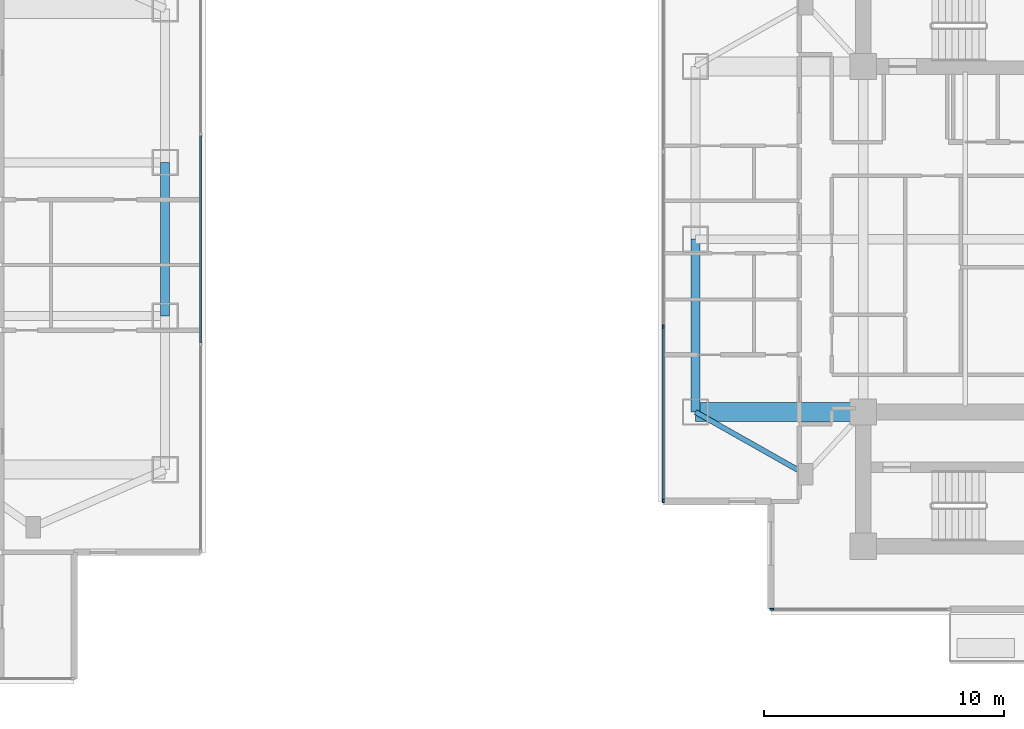
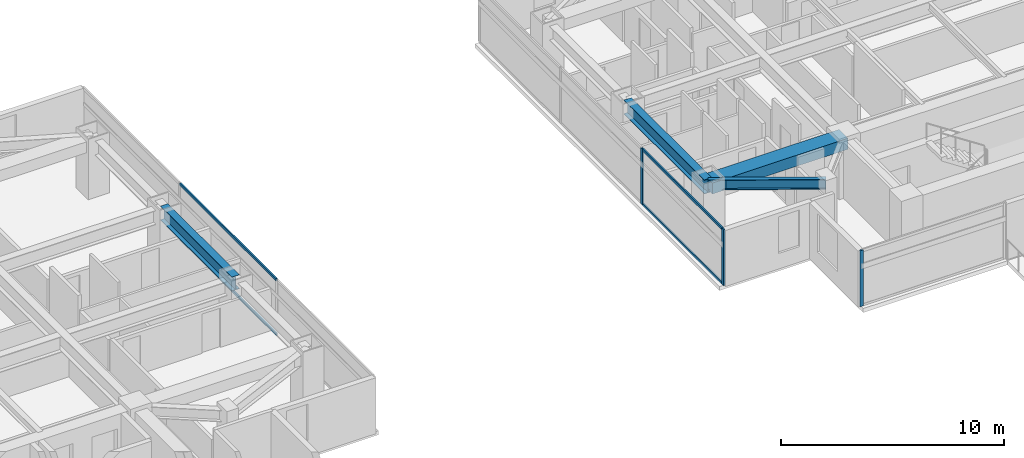
# One storey, part 5 of 24: 7 members, 4 beams, 3 elements without a shape of their own.
"""IFC4 building model written with IfcOpenShell, lengths in metres."""

from ifc_helpers import new_model, si_unit, direction, frame, origin, origin_2d, place, context, subcontext, project, spatial, rectangle, i_section, extrude, material, material_profile, profile_set, type_object, element, aggregate, save


model = new_model("IFC4")

# Units and contexts
model_context = context("Model", 3, precision=1e-05, world=origin(), true_north=direction((0.0, 1.0)))
body_context = subcontext(model_context, "Body", "Model", "MODEL_VIEW")
ifc_project = project(units=[si_unit("LENGTHUNIT", "METRE"), si_unit("AREAUNIT", "SQUARE_METRE"), si_unit("VOLUMEUNIT", "CUBIC_METRE"), si_unit("PLANEANGLEUNIT", "RADIAN"), si_unit("MASSUNIT", "GRAM", prefix="KILO")], contexts=[model_context])

# Site, building, storey
site_placement = place(None, origin())
site = spatial("IfcSite", under=ifc_project, at=site_placement, CompositionType="ELEMENT")
building_placement = place(site_placement, origin())
building = spatial("IfcBuilding", under=site, at=building_placement, Name="Mirazonda Arch Towers", CompositionType="ELEMENT")
storey_placement = place(building_placement, frame((0.0, 0.0, 118.10009765625)))
storey = spatial("IfcBuildingStorey", under=building, at=storey_placement, Name="L33", CompositionType="ELEMENT", Elevation=118.10009765625)

# Beams
ifc_material_1 = material(Name="Steel ASTM A992 Grade 50", Category="steel")
ifc_material_profile_1 = material_profile(ifc_material_1, i_section(OverallWidth=0.381103515625, OverallDepth=0.77294921875, WebThickness=0.0166015625, FlangeThickness=0.027099609375, at=origin_2d()), Name="W30X173")
ifc_profile_set_1 = profile_set([ifc_material_profile_1], Name="Steel ASTM A992 Grade 50")
beam_type_1 = type_object("IfcBeamType", Name="BM-EXT-W30X173", PredefinedType="USERDEFINED", material=ifc_profile_set_1)
beam_1_placement = place(storey_placement, frame((38.89990234375, 24.800048828125, 2.693359375), z_axis=(0.0, 1.0, 0.0), x_axis=(-1.0, 0.0, 0.0)))
element("IfcBeam", 1, at=beam_1_placement, inside=storey, type_object=beam_type_1, Name="L33 Floor Beam BM-T1-L33-NS-E-24", ObjectType="GIRDER", PredefinedType="USERDEFINED", context=body_context, shape_type="SweptSolid", body=[
    extrude(i_section(OverallWidth=0.381103515625, OverallDepth=0.77294921875, WebThickness=0.0166015625, FlangeThickness=0.027099609375, at=origin_2d()), origin(), (0.0, 0.0, 1.0), 6.39990234375),
])
beam_2_placement = place(storey_placement, frame((61.0, 20.800048828125, 2.693359375), z_axis=(0.0, 1.0, 0.0), x_axis=(-1.0, 0.0, 0.0)))
element("IfcBeam", 2, at=beam_2_placement, inside=storey, type_object=beam_type_1, Name="L33 Floor Beam BM-T2-L33-NS-W-20", ObjectType="GIRDER", PredefinedType="USERDEFINED", context=body_context, shape_type="SweptSolid", body=[
    extrude(i_section(OverallWidth=0.381103515625, OverallDepth=0.77294921875, WebThickness=0.0166015625, FlangeThickness=0.027099609375, at=origin_2d()), origin(), (0.0, 0.0, 1.0), 7.199951171875),
])
ifc_material_profile_2 = material_profile(ifc_material_1, i_section(OverallWidth=0.214111328125, OverallDepth=0.549072265625, WebThickness=0.0146484375, FlangeThickness=0.023681640625, at=origin_2d()), Name="W21X93")
ifc_profile_set_2 = profile_set([ifc_material_profile_2], Name="Steel ASTM A992 Grade 50")
beam_type_2 = type_object("IfcBeamType", Name="BM-INT-W21X93", PredefinedType="BEAM", material=ifc_profile_set_2)
beam_3_placement = place(storey_placement, frame((65.60009765625, 18.199951171875, 2.805419921875), z_axis=(-0.870559396632, 0.492063346467, 0.0), x_axis=(-0.492063346467, -0.870559396632, 0.0)))
element("IfcBeam", 3, at=beam_3_placement, inside=storey, type_object=beam_type_2, Name="L33 Floor Beam BM-T2-L33-PL-SW2", PredefinedType="BEAM", context=body_context, shape_type="SweptSolid", body=[
    extrude(i_section(OverallWidth=0.214111328125, OverallDepth=0.549072265625, WebThickness=0.0146484375, FlangeThickness=0.023681640625, at=origin_2d()), origin(), (0.0, 0.0, 1.0), 5.2841796875),
])
ifc_material_2 = material(Name="Concrete C60/75", Category="concrete")
ifc_material_profile_3 = material_profile(ifc_material_2, rectangle(XDim=0.800048828125, YDim=0.60009765625, at=origin_2d()), Name="RCCB800x600")
ifc_profile_set_3 = profile_set([ifc_material_profile_3], Name="Concrete C60/75")
beam_type_3 = type_object("IfcBeamType", Name="CB-INT-RCCB800x600", PredefinedType="SPANDREL", material=ifc_profile_set_3)
beam_4_placement = place(storey_placement, frame((61.0, 20.800048828125, 2.77978515625), z_axis=(1.0, 0.0, 0.0), x_axis=(0.0, 1.0, 0.0)))
element("IfcBeam", 4, at=beam_4_placement, inside=storey, type_object=beam_type_3, Name="L33 Floor Beam CBC-T2-L33-SW", PredefinedType="SPANDREL", context=body_context, shape_type="SweptSolid", body=[
    extrude(rectangle(XDim=0.800048828125, YDim=0.60009765625, at=origin_2d()), origin(), (0.0, 0.0, 1.0), 7.0),
])

# Curtain wall, member
ifc_material_3 = material(Name="Anodised Aluminium and Low-E Glass", Category="aluminium")
curtain_wall_type = type_object("IfcCurtainWallType", Name="CW-HTL-UNIT", PredefinedType="NOTDEFINED", material=ifc_material_3)
curtain_wall_1_placement = place(storey_placement, origin())
curtain_wall_1 = element("IfcCurtainWall", 5, at=curtain_wall_1_placement, inside=storey, type_object=curtain_wall_type, Name="L33 Curtain Wall CW-L33-T2-SB", PredefinedType="NOTDEFINED")
ifc_material_4 = material(Name="Anodised Aluminium Alloy", Category="aluminium")
ifc_material_profile_4 = material_profile(ifc_material_4, rectangle(XDim=0.074951171875, YDim=0.1650390625, at=origin_2d()), Name="ALU-MULL-75x165")
ifc_profile_set_4 = profile_set([ifc_material_profile_4], Name="Anodised Aluminium Alloy")
member_type_1 = type_object("IfcMemberType", Name="MULL-CW-HTL-UNIT", PredefinedType="MULLION", material=ifc_profile_set_4)
member_1_placement = place(storey_placement, frame((64.178955078125, 12.5810546875, 0.0), z_axis=(0.0, 0.0, 1.0), x_axis=(0.0, -1.0, 0.0)))
member_1 = element("IfcMember", 6, at=member_1_placement, type_object=member_type_1, Name="CW-112 mullion 2", PredefinedType="MULLION", context=body_context, shape_type="SweptSolid", body=[
    extrude(rectangle(XDim=0.074951171875, YDim=0.1650390625, at=origin_2d()), origin(), (0.0, 0.0, 1.0), 3.059814453125),
])
aggregate(curtain_wall_1, [member_1])

# Curtain wall, members
curtain_wall_2_placement = place(storey_placement, origin())
curtain_wall_2 = element("IfcCurtainWall", 7, at=curtain_wall_2_placement, inside=storey, type_object=curtain_wall_type, Name="L33 T2 W Facade CW-L33-T2-W", PredefinedType="NOTDEFINED")
member_2_placement = place(storey_placement, frame((59.655029296875, 24.355712890625, 0.0), z_axis=(0.0, 0.0, 1.0), x_axis=(1.0, 0.0, 0.0)))
member_2 = element("IfcMember", 8, at=member_2_placement, type_object=member_type_1, Name="CW-112 mullion 3", PredefinedType="MULLION", context=body_context, shape_type="SweptSolid", body=[
    extrude(rectangle(XDim=0.074951171875, YDim=0.1650390625, at=origin_2d()), origin(), (0.0, 0.0, 1.0), 3.059814453125),
])
member_3_placement = place(storey_placement, frame((59.655029296875, 17.10498046875, 0.0), z_axis=(0.0, 0.0, 1.0), x_axis=(1.0, 0.0, 0.0)))
member_3 = element("IfcMember", 9, at=member_3_placement, type_object=member_type_1, Name="CW-112 mullion 4", PredefinedType="MULLION", context=body_context, shape_type="SweptSolid", body=[
    extrude(rectangle(XDim=0.074951171875, YDim=0.1650390625, at=origin_2d()), origin(), (0.0, 0.0, 1.0), 3.059814453125),
])

curtain_wall_3_placement = place(storey_placement, origin())
curtain_wall_3 = element("IfcCurtainWall", 10, at=curtain_wall_3_placement, inside=storey, type_object=curtain_wall_type, Name="L33 T1 E Facade CW-L33-T1-E", PredefinedType="NOTDEFINED")
ifc_material_profile_5 = material_profile(ifc_material_4, rectangle(XDim=0.074951171875, YDim=0.14501953125, at=origin_2d()), Name="ALU-TRAN-75x145")
ifc_profile_set_5 = profile_set([ifc_material_profile_5], Name="Anodised Aluminium Alloy")
member_type_2 = type_object("IfcMemberType", Name="TRAN-CW-HTL-UNIT", PredefinedType="USERDEFINED", material=ifc_profile_set_5)
member_4_placement = place(storey_placement, frame((40.3798828125, 23.6875, 0.037353515625), z_axis=(0.0, 1.0, 0.0), x_axis=(-1.0, 0.0, 0.0)))
member_4 = element("IfcMember", 11, at=member_4_placement, type_object=member_type_2, Name="CW-112 transom 2.1", ObjectType="TRANSOM", PredefinedType="USERDEFINED", context=body_context, shape_type="SweptSolid", body=[
    extrude(rectangle(XDim=0.074951171875, YDim=0.14501953125, at=origin_2d()), origin(), (0.0, 0.0, 1.0), 8.625),
])
member_5_placement = place(storey_placement, frame((40.3798828125, 23.6875, 3.0224609375), z_axis=(0.0, 1.0, 0.0), x_axis=(-1.0, 0.0, 0.0)))
member_5 = element("IfcMember", 12, at=member_5_placement, type_object=member_type_2, Name="CW-112 transom 2.2", ObjectType="TRANSOM", PredefinedType="USERDEFINED", context=body_context, shape_type="SweptSolid", body=[
    extrude(rectangle(XDim=0.074951171875, YDim=0.14501953125, at=origin_2d()), origin(), (0.0, 0.0, 1.0), 8.625),
])
aggregate(curtain_wall_3, [member_4, member_5])

# Member
member_6_placement = place(storey_placement, frame((59.655029296875, 24.318359375, 0.037353515625), z_axis=(0.0, -1.0, 0.0), x_axis=(1.0, 0.0, 0.0)))
member_6 = element("IfcMember", 13, at=member_6_placement, type_object=member_type_2, Name="CW-112 transom 3.1", ObjectType="TRANSOM", PredefinedType="USERDEFINED", context=body_context, shape_type="SweptSolid", body=[
    extrude(rectangle(XDim=0.074951171875, YDim=0.14501953125, at=origin_2d()), origin(), (0.0, 0.0, 1.0), 7.17578125),
])

member_7_placement = place(storey_placement, frame((59.655029296875, 24.318359375, 3.0224609375), z_axis=(0.0, -1.0, 0.0), x_axis=(1.0, 0.0, 0.0)))
member_7 = element("IfcMember", 14, at=member_7_placement, type_object=member_type_2, Name="CW-112 transom 3.2", ObjectType="TRANSOM", PredefinedType="USERDEFINED", context=body_context, shape_type="SweptSolid", body=[
    extrude(rectangle(XDim=0.074951171875, YDim=0.14501953125, at=origin_2d()), origin(), (0.0, 0.0, 1.0), 7.17578125),
])

aggregate(curtain_wall_2, [member_2, member_3, member_6, member_7])

save(model, "model.ifc")
